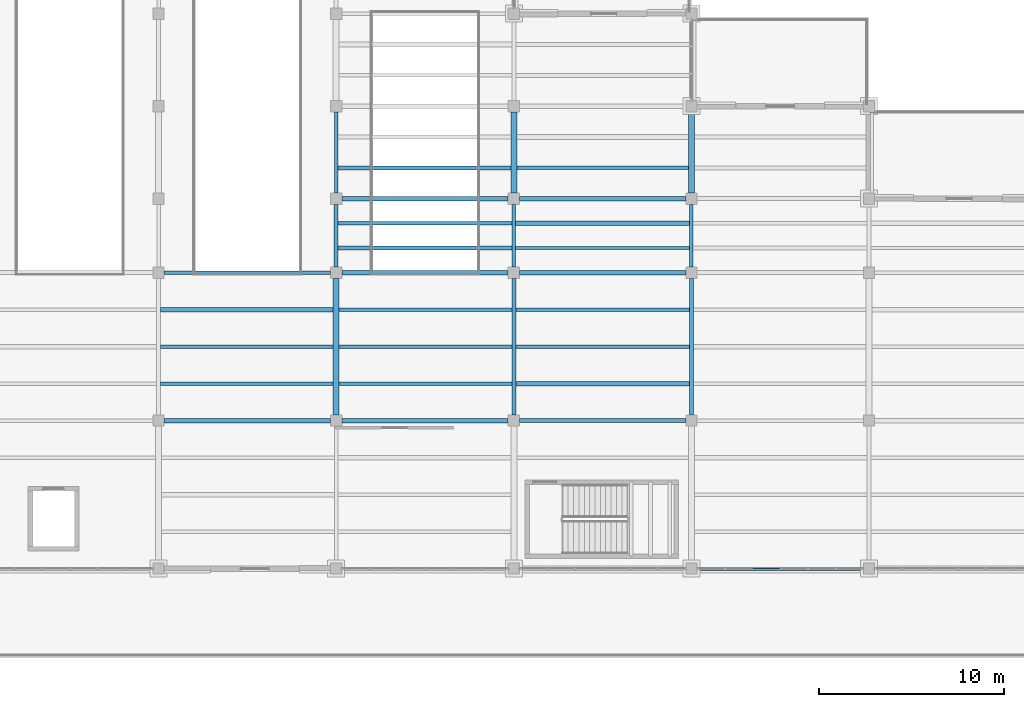
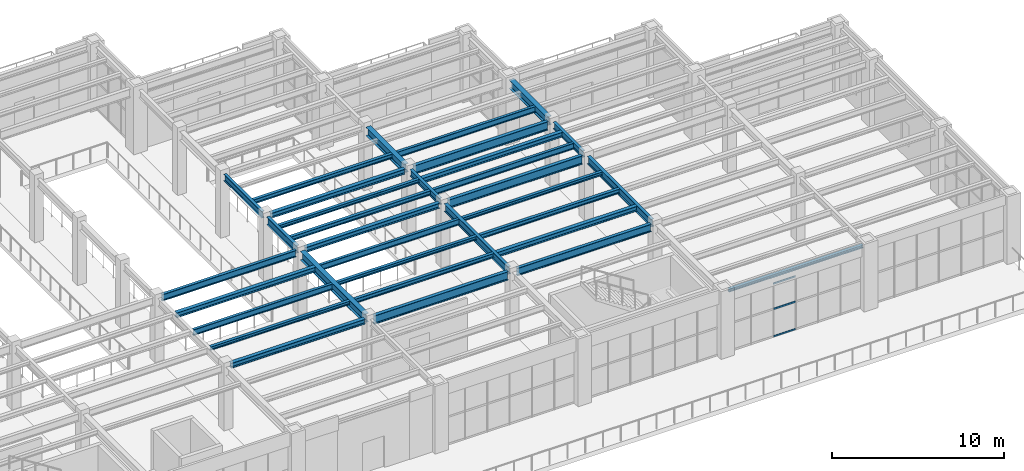
# One storey, part 34 of 83: 33 beams, 3 members, 1 element without a shape of its own.
"""IFC4 building model written with IfcOpenShell, lengths in metres."""

from ifc_helpers import new_model, si_unit, direction, frame, origin, origin_2d, place, context, subcontext, project, spatial, hollow_rectangle, i_section, extrude, material, material_profile, profile_set, type_object, element, aggregate, save


model = new_model("IFC4")

# Units and contexts
model_context = context("Model", 3, precision=1e-05, world=origin(), true_north=direction((0.0, 1.0)))
body_context = subcontext(model_context, "Body", "Model", "MODEL_VIEW")
ifc_project = project(units=[si_unit("LENGTHUNIT", "METRE"), si_unit("AREAUNIT", "SQUARE_METRE"), si_unit("VOLUMEUNIT", "CUBIC_METRE"), si_unit("PLANEANGLEUNIT", "RADIAN"), si_unit("MASSUNIT", "GRAM", prefix="KILO")], contexts=[model_context])

# Site, building, storey
site_placement = place(None, origin())
site = spatial("IfcSite", under=ifc_project, at=site_placement, CompositionType="ELEMENT")
building_placement = place(site_placement, origin())
building = spatial("IfcBuilding", under=site, at=building_placement, Name="Mavantir Sound Aquarium", CompositionType="ELEMENT")
storey_placement = place(building_placement, frame((0.0, 0.0, 10.5)))
storey = spatial("IfcBuildingStorey", under=building, at=storey_placement, Name="L02", CompositionType="ELEMENT", Elevation=10.5)

# Beams
ifc_material_1 = material(Name="Structural Steel ASTM A992 Gr50", Category="steel")
ifc_material_profile_1 = material_profile(ifc_material_1, i_section(OverallWidth=0.202880859375, OverallDepth=0.202880859375, WebThickness=0.007080078125, FlangeThickness=0.010986328125, FilletRadius=0.010009765625, at=origin_2d()), Name="W200X46")
ifc_profile_set_1 = profile_set([ifc_material_profile_1], Name="Structural Steel ASTM A992 Gr50")
beam_type_1 = type_object("IfcBeamType", Name="BM-W200X46-E", PredefinedType="LINTEL", material=ifc_profile_set_1)
beam_1_placement = place(storey_placement, frame((156.300048828125, 40.800048828125, 4.384521484375), z_axis=(1.0, 0.0, 0.0), x_axis=(0.0, 1.0, 0.0)))
element("IfcBeam", 1, at=beam_1_placement, inside=storey, type_object=beam_type_1, Name="L02 primary beam SL-20 1520", PredefinedType="LINTEL", context=body_context, shape_type="SweptSolid", body=[
    extrude(i_section(OverallWidth=0.202880859375, OverallDepth=0.202880859375, WebThickness=0.007080078125, FlangeThickness=0.010986328125, FilletRadius=0.010009765625, at=origin_2d()), origin(), (0.0, 0.0, 1.0), 9.0),
])
ifc_material_profile_2 = material_profile(ifc_material_1, i_section(OverallWidth=0.202880859375, OverallDepth=0.251953125, WebThickness=0.008056640625, FlangeThickness=0.013427734375, FilletRadius=0.011962890625, at=origin_2d()), Name="W250X58")
ifc_profile_set_2 = profile_set([ifc_material_profile_2], Name="Structural Steel ASTM A992 Gr50")
beam_type_2 = type_object("IfcBeamType", Name="BM-W250X58-I", PredefinedType="JOIST", material=ifc_profile_set_2)
for number, where, z_axis, x_axis, name in (
    (2, (127.305908203125, 50.800048828125, 4.360107421875), (1.0, 0.0, 0.0), (0.0, 1.0, 0.0), "L02 secondary floor joist SJ-25 912"),
    (3, (136.9619140625, 52.800048828125, 4.360107421875), (1.0, 0.0, 0.0), (0.0, 1.0, 0.0), "L02 secondary floor joist SJ-25 916"),
):
    element("IfcBeam", number, at=place(storey_placement, frame(where, z_axis=z_axis, x_axis=x_axis)), inside=storey, type_object=beam_type_2, Name=name, PredefinedType="JOIST", context=body_context, shape_type="SweptSolid", body=[
        extrude(i_section(OverallWidth=0.202880859375, OverallDepth=0.251953125, WebThickness=0.008056640625, FlangeThickness=0.013427734375, FilletRadius=0.011962890625, at=origin_2d()), origin(), (0.0, 0.0, 1.0), 9.33203125),
    ])
beam_2_placement = place(storey_placement, frame((146.506103515625, 54.800048828125, 4.360107421875), z_axis=(1.0, 0.0, 0.0), x_axis=(0.0, 1.0, 0.0)))
element("IfcBeam", 4, at=beam_2_placement, inside=storey, type_object=beam_type_2, Name="L02 secondary floor joist SJ-25 920", PredefinedType="JOIST", context=body_context, shape_type="SweptSolid", body=[
    extrude(i_section(OverallWidth=0.202880859375, OverallDepth=0.251953125, WebThickness=0.008056640625, FlangeThickness=0.013427734375, FilletRadius=0.011962890625, at=origin_2d()), origin(), (0.0, 0.0, 1.0), 9.387939453125),
])
beam_3_placement = place(storey_placement, frame((136.906005859375, 59.466796875, 4.360107421875), z_axis=(1.0, 0.0, 0.0), x_axis=(0.0, 1.0, 0.0)))
element("IfcBeam", 5, at=beam_3_placement, inside=storey, type_object=beam_type_2, Name="L02 secondary floor joist SJ-25 928", PredefinedType="JOIST", context=body_context, shape_type="SweptSolid", body=[
    extrude(i_section(OverallWidth=0.202880859375, OverallDepth=0.251953125, WebThickness=0.008056640625, FlangeThickness=0.013427734375, FilletRadius=0.011962890625, at=origin_2d()), origin(), (0.0, 0.0, 1.0), 9.39697265625),
])
ifc_material_profile_3 = material_profile(ifc_material_1, i_section(OverallWidth=0.205078125, OverallDepth=0.31005859375, WebThickness=0.009521484375, FlangeThickness=0.016357421875, FilletRadius=0.012939453125, at=origin_2d()), Name="W310X74")
ifc_profile_set_3 = profile_set([ifc_material_profile_3], Name="Structural Steel ASTM A992 Gr50")
beam_type_3 = type_object("IfcBeamType", Name="BM-W310X74-I", PredefinedType="JOIST", material=ifc_profile_set_3)
beam_4_placement = place(storey_placement, frame((136.9619140625, 50.800048828125, 4.3310546875), z_axis=(1.0, 0.0, 0.0), x_axis=(0.0, 1.0, 0.0)))
element("IfcBeam", 6, at=beam_4_placement, inside=storey, type_object=beam_type_3, Name="L02 secondary floor joist SJ-31 915", PredefinedType="JOIST", context=body_context, shape_type="SweptSolid", body=[
    extrude(i_section(OverallWidth=0.205078125, OverallDepth=0.31005859375, WebThickness=0.009521484375, FlangeThickness=0.016357421875, FilletRadius=0.012939453125, at=origin_2d()), origin(), (0.0, 0.0, 1.0), 9.33203125),
])
beam_5_placement = place(storey_placement, frame((146.506103515625, 52.800048828125, 4.3310546875), z_axis=(1.0, 0.0, 0.0), x_axis=(0.0, 1.0, 0.0)))
element("IfcBeam", 7, at=beam_5_placement, inside=storey, type_object=beam_type_3, Name="L02 secondary floor joist SJ-31 919", PredefinedType="JOIST", context=body_context, shape_type="SweptSolid", body=[
    extrude(i_section(OverallWidth=0.205078125, OverallDepth=0.31005859375, WebThickness=0.009521484375, FlangeThickness=0.016357421875, FilletRadius=0.012939453125, at=origin_2d()), origin(), (0.0, 0.0, 1.0), 9.387939453125),
])
beam_6_placement = place(storey_placement, frame((136.906005859375, 58.13330078125, 4.3310546875), z_axis=(1.0, 0.0, 0.0), x_axis=(0.0, 1.0, 0.0)))
element("IfcBeam", 8, at=beam_6_placement, inside=storey, type_object=beam_type_3, Name="L02 secondary floor joist SJ-31 927", PredefinedType="JOIST", context=body_context, shape_type="SweptSolid", body=[
    extrude(i_section(OverallWidth=0.205078125, OverallDepth=0.31005859375, WebThickness=0.009521484375, FlangeThickness=0.016357421875, FilletRadius=0.012939453125, at=origin_2d()), origin(), (0.0, 0.0, 1.0), 9.39697265625),
])
beam_7_placement = place(storey_placement, frame((136.89697265625, 62.466796875, 4.3310546875), z_axis=(1.0, 0.0, 0.0), x_axis=(0.0, 1.0, 0.0)))
element("IfcBeam", 9, at=beam_7_placement, inside=storey, type_object=beam_type_3, Name="L02 secondary floor joist SJ-31 935", PredefinedType="JOIST", context=body_context, shape_type="SweptSolid", body=[
    extrude(i_section(OverallWidth=0.205078125, OverallDepth=0.31005859375, WebThickness=0.009521484375, FlangeThickness=0.016357421875, FilletRadius=0.012939453125, at=origin_2d()), origin(), (0.0, 0.0, 1.0), 9.341064453125),
])
ifc_material_profile_4 = material_profile(ifc_material_1, i_section(OverallWidth=0.257080078125, OverallDepth=0.363037109375, WebThickness=0.012939453125, FlangeThickness=0.021728515625, FilletRadius=0.014892578125, at=origin_2d()), Name="W360X122")
ifc_profile_set_4 = profile_set([ifc_material_profile_4], Name="Structural Steel ASTM A992 Gr50")
beam_type_4 = type_object("IfcBeamType", Name="BM-W360X122-I", PredefinedType="BEAM", material=ifc_profile_set_4)
for number, where, z_axis, x_axis, name in (
    (10, (127.5, 48.800048828125, 4.304443359375), (1.0, 0.0, 0.0), (0.0, 1.0, 0.0), "L02 primary beam SB-36A 1524"),
    (11, (137.10009765625, 56.800048828125, 4.304443359375), (1.0, 0.0, 0.0), (0.0, 1.0, 0.0), "L02 primary beam SB-36A 1532"),
    (12, (137.10009765625, 60.800048828125, 4.304443359375), (1.0, 0.0, 0.0), (0.0, 1.0, 0.0), "L02 primary beam SB-36A 1536"),
):
    element("IfcBeam", number, at=place(storey_placement, frame(where, z_axis=z_axis, x_axis=x_axis)), inside=storey, type_object=beam_type_4, Name=name, PredefinedType="BEAM", context=body_context, shape_type="SweptSolid", body=[
        extrude(i_section(OverallWidth=0.257080078125, OverallDepth=0.363037109375, WebThickness=0.012939453125, FlangeThickness=0.021728515625, FilletRadius=0.014892578125, at=origin_2d()), origin(), (0.0, 0.0, 1.0), 9.0),
    ])
ifc_material_profile_5 = material_profile(ifc_material_1, i_section(OverallWidth=0.25390625, OverallDepth=0.35302734375, WebThickness=0.009521484375, FlangeThickness=0.016357421875, FilletRadius=0.014892578125, at=origin_2d()), Name="W360X91")
ifc_profile_set_5 = profile_set([ifc_material_profile_5], Name="Structural Steel ASTM A992 Gr50")
beam_type_5 = type_object("IfcBeamType", Name="BM-W360X91-I", PredefinedType="JOIST", material=ifc_profile_set_5)
beam_8_placement = place(storey_placement, frame((127.305908203125, 54.800048828125, 4.3095703125), z_axis=(1.0, 0.0, 0.0), x_axis=(0.0, 1.0, 0.0)))
element("IfcBeam", 13, at=beam_8_placement, inside=storey, type_object=beam_type_5, Name="L02 secondary floor joist SJ-36 914", PredefinedType="JOIST", context=body_context, shape_type="SweptSolid", body=[
    extrude(i_section(OverallWidth=0.25390625, OverallDepth=0.35302734375, WebThickness=0.009521484375, FlangeThickness=0.016357421875, FilletRadius=0.014892578125, at=origin_2d()), origin(), (0.0, 0.0, 1.0), 9.33203125),
])
beam_9_placement = place(storey_placement, frame((146.506103515625, 50.800048828125, 4.3095703125), z_axis=(1.0, 0.0, 0.0), x_axis=(0.0, 1.0, 0.0)))
element("IfcBeam", 14, at=beam_9_placement, inside=storey, type_object=beam_type_5, Name="L02 secondary floor joist SJ-36 918", PredefinedType="JOIST", context=body_context, shape_type="SweptSolid", body=[
    extrude(i_section(OverallWidth=0.25390625, OverallDepth=0.35302734375, WebThickness=0.009521484375, FlangeThickness=0.016357421875, FilletRadius=0.014892578125, at=origin_2d()), origin(), (0.0, 0.0, 1.0), 9.387939453125),
])
beam_10_placement = place(storey_placement, frame((146.4970703125, 59.466796875, 4.3095703125), z_axis=(1.0, 0.0, 0.0), x_axis=(0.0, 1.0, 0.0)))
element("IfcBeam", 15, at=beam_10_placement, inside=storey, type_object=beam_type_5, Name="L02 secondary floor joist SJ-36 930", PredefinedType="JOIST", context=body_context, shape_type="SweptSolid", body=[
    extrude(i_section(OverallWidth=0.25390625, OverallDepth=0.35302734375, WebThickness=0.009521484375, FlangeThickness=0.016357421875, FilletRadius=0.014892578125, at=origin_2d()), origin(), (0.0, 0.0, 1.0), 9.406005859375),
])
ifc_material_profile_6 = material_profile(ifc_material_1, i_section(OverallWidth=0.180908203125, OverallDepth=0.4169921875, WebThickness=0.010986328125, FlangeThickness=0.018310546875, FilletRadius=0.014892578125, at=origin_2d()), Name="W410X85")
ifc_profile_set_6 = profile_set([ifc_material_profile_6], Name="Structural Steel ASTM A992 Gr50")
beam_type_6 = type_object("IfcBeamType", Name="BM-W410X85-I", PredefinedType="JOIST", material=ifc_profile_set_6)
for number, where, z_axis, x_axis, name in (
    (16, (127.305908203125, 52.800048828125, 4.277587890625), (1.0, 0.0, 0.0), (0.0, 1.0, 0.0), "L02 secondary floor joist SJ-41 913"),
    (17, (136.9619140625, 54.800048828125, 4.277587890625), (1.0, 0.0, 0.0), (0.0, 1.0, 0.0), "L02 secondary floor joist SJ-41 917"),
):
    element("IfcBeam", number, at=place(storey_placement, frame(where, z_axis=z_axis, x_axis=x_axis)), inside=storey, type_object=beam_type_6, Name=name, PredefinedType="JOIST", context=body_context, shape_type="SweptSolid", body=[
        extrude(i_section(OverallWidth=0.180908203125, OverallDepth=0.4169921875, WebThickness=0.010986328125, FlangeThickness=0.018310546875, FilletRadius=0.014892578125, at=origin_2d()), origin(), (0.0, 0.0, 1.0), 9.33203125),
    ])
beam_11_placement = place(storey_placement, frame((146.4970703125, 58.13330078125, 4.277587890625), z_axis=(1.0, 0.0, 0.0), x_axis=(0.0, 1.0, 0.0)))
element("IfcBeam", 18, at=beam_11_placement, inside=storey, type_object=beam_type_6, Name="L02 secondary floor joist SJ-41 929", PredefinedType="JOIST", context=body_context, shape_type="SweptSolid", body=[
    extrude(i_section(OverallWidth=0.180908203125, OverallDepth=0.4169921875, WebThickness=0.010986328125, FlangeThickness=0.018310546875, FilletRadius=0.014892578125, at=origin_2d()), origin(), (0.0, 0.0, 1.0), 9.406005859375),
])
beam_12_placement = place(storey_placement, frame((146.56201171875, 62.466796875, 4.277587890625), z_axis=(1.0, 0.0, 0.0), x_axis=(0.0, 1.0, 0.0)))
element("IfcBeam", 19, at=beam_12_placement, inside=storey, type_object=beam_type_6, Name="L02 secondary floor joist SJ-41 937", PredefinedType="JOIST", context=body_context, shape_type="SweptSolid", body=[
    extrude(i_section(OverallWidth=0.180908203125, OverallDepth=0.4169921875, WebThickness=0.010986328125, FlangeThickness=0.018310546875, FilletRadius=0.014892578125, at=origin_2d()), origin(), (0.0, 0.0, 1.0), 9.27587890625),
])
ifc_material_profile_7 = material_profile(ifc_material_1, i_section(OverallWidth=0.194091796875, OverallDepth=0.468994140625, WebThickness=0.0126953125, FlangeThickness=0.0205078125, FilletRadius=0.01611328125, at=origin_2d()), Name="W460X106")
ifc_profile_set_7 = profile_set([ifc_material_profile_7], Name="Structural Steel ASTM A992 Gr50")
beam_type_7 = type_object("IfcBeamType", Name="BM-W460X106-I", PredefinedType="BEAM", material=ifc_profile_set_7)
beam_13_placement = place(storey_placement, frame((127.5, 56.800048828125, 4.25146484375), z_axis=(1.0, 0.0, 0.0), x_axis=(0.0, 1.0, 0.0)))
element("IfcBeam", 20, at=beam_13_placement, inside=storey, type_object=beam_type_7, Name="L02 primary beam SB-46 1531", PredefinedType="BEAM", context=body_context, shape_type="SweptSolid", body=[
    extrude(i_section(OverallWidth=0.194091796875, OverallDepth=0.468994140625, WebThickness=0.0126953125, FlangeThickness=0.0205078125, FilletRadius=0.01611328125, at=origin_2d()), origin(), (0.0, 0.0, 1.0), 9.0),
])
beam_14_placement = place(storey_placement, frame((136.800048828125, 61.10009765625, 4.25146484375), z_axis=(0.0, 1.0, 0.0), x_axis=(-1.0, 0.0, 0.0)))
element("IfcBeam", 21, at=beam_14_placement, inside=storey, type_object=beam_type_7, Name="L02 primary girder SB-46 1581", PredefinedType="BEAM", context=body_context, shape_type="SweptSolid", body=[
    extrude(i_section(OverallWidth=0.194091796875, OverallDepth=0.468994140625, WebThickness=0.0126953125, FlangeThickness=0.0205078125, FilletRadius=0.01611328125, at=origin_2d()), origin(), (0.0, 0.0, 1.0), 4.39990234375),
])
for number, where, z_axis, x_axis, name in (
    (22, (146.39990234375, 57.10009765625, 4.25146484375), (0.0, 1.0, 0.0), (-1.0, 0.0, 0.0), "L02 primary girder SB-46 1587"),
    (23, (156.0, 57.10009765625, 4.25146484375), (0.0, 1.0, 0.0), (-1.0, 0.0, 0.0), "L02 primary girder SB-46 1593"),
):
    element("IfcBeam", number, at=place(storey_placement, frame(where, z_axis=z_axis, x_axis=x_axis)), inside=storey, type_object=beam_type_7, Name=name, PredefinedType="BEAM", context=body_context, shape_type="SweptSolid", body=[
        extrude(i_section(OverallWidth=0.194091796875, OverallDepth=0.468994140625, WebThickness=0.0126953125, FlangeThickness=0.0205078125, FilletRadius=0.01611328125, at=origin_2d()), origin(), (0.0, 0.0, 1.0), 3.39990234375),
    ])
ifc_material_profile_8 = material_profile(ifc_material_1, i_section(OverallWidth=0.2119140625, OverallDepth=0.5439453125, WebThickness=0.01318359375, FlangeThickness=0.021240234375, FilletRadius=0.01806640625, at=origin_2d()), Name="W530X123")
ifc_profile_set_8 = profile_set([ifc_material_profile_8], Name="Structural Steel ASTM A992 Gr50")
beam_type_8 = type_object("IfcBeamType", Name="BM-W530X123-I", PredefinedType="BEAM", material=ifc_profile_set_8)
beam_15_placement = place(storey_placement, frame((146.699951171875, 48.800048828125, 4.214111328125), z_axis=(1.0, 0.0, 0.0), x_axis=(0.0, 1.0, 0.0)))
element("IfcBeam", 24, at=beam_15_placement, inside=storey, type_object=beam_type_8, Name="L02 primary beam SB-53 1526", PredefinedType="BEAM", context=body_context, shape_type="SweptSolid", body=[
    extrude(i_section(OverallWidth=0.2119140625, OverallDepth=0.5439453125, WebThickness=0.01318359375, FlangeThickness=0.021240234375, FilletRadius=0.01806640625, at=origin_2d()), origin(), (0.0, 0.0, 1.0), 9.0),
])
beam_16_placement = place(storey_placement, frame((136.800048828125, 57.10009765625, 4.214111328125), z_axis=(0.0, 1.0, 0.0), x_axis=(-1.0, 0.0, 0.0)))
element("IfcBeam", 25, at=beam_16_placement, inside=storey, type_object=beam_type_8, Name="L02 primary girder SB-53 1580", PredefinedType="BEAM", context=body_context, shape_type="SweptSolid", body=[
    extrude(i_section(OverallWidth=0.2119140625, OverallDepth=0.5439453125, WebThickness=0.01318359375, FlangeThickness=0.021240234375, FilletRadius=0.01806640625, at=origin_2d()), origin(), (0.0, 0.0, 1.0), 3.39990234375),
])
for number, where, z_axis, x_axis, name in (
    (26, (146.39990234375, 49.10009765625, 4.214111328125), (0.0, 1.0, 0.0), (-1.0, 0.0, 0.0), "L02 primary girder SB-53 1586"),
    (27, (156.0, 49.10009765625, 4.214111328125), (0.0, 1.0, 0.0), (-1.0, 0.0, 0.0), "L02 primary girder SB-53 1592"),
):
    element("IfcBeam", number, at=place(storey_placement, frame(where, z_axis=z_axis, x_axis=x_axis)), inside=storey, type_object=beam_type_8, Name=name, PredefinedType="BEAM", context=body_context, shape_type="SweptSolid", body=[
        extrude(i_section(OverallWidth=0.2119140625, OverallDepth=0.5439453125, WebThickness=0.01318359375, FlangeThickness=0.021240234375, FilletRadius=0.01806640625, at=origin_2d()), origin(), (0.0, 0.0, 1.0), 7.39990234375),
    ])
ifc_material_profile_9 = material_profile(ifc_material_1, i_section(OverallWidth=0.22900390625, OverallDepth=0.612060546875, WebThickness=0.011962890625, FlangeThickness=0.01953125, FilletRadius=0.01904296875, at=origin_2d()), Name="W610X125")
ifc_profile_set_9 = profile_set([ifc_material_profile_9], Name="Structural Steel ASTM A992 Gr50")
beam_type_9 = type_object("IfcBeamType", Name="BM-W610X125-I", PredefinedType="BEAM", material=ifc_profile_set_9)
for number, where, z_axis, x_axis, name in (
    (28, (137.10009765625, 48.800048828125, 4.179931640625), (1.0, 0.0, 0.0), (0.0, 1.0, 0.0), "L02 primary beam SB-61B 1525"),
    (29, (146.699951171875, 56.800048828125, 4.179931640625), (1.0, 0.0, 0.0), (0.0, 1.0, 0.0), "L02 primary beam SB-61B 1533"),
    (30, (146.699951171875, 60.800048828125, 4.179931640625), (1.0, 0.0, 0.0), (0.0, 1.0, 0.0), "L02 primary beam SB-61B 1537"),
):
    element("IfcBeam", number, at=place(storey_placement, frame(where, z_axis=z_axis, x_axis=x_axis)), inside=storey, type_object=beam_type_9, Name=name, PredefinedType="BEAM", context=body_context, shape_type="SweptSolid", body=[
        extrude(i_section(OverallWidth=0.22900390625, OverallDepth=0.612060546875, WebThickness=0.011962890625, FlangeThickness=0.01953125, FilletRadius=0.01904296875, at=origin_2d()), origin(), (0.0, 0.0, 1.0), 9.0),
    ])
ifc_material_profile_10 = material_profile(ifc_material_1, i_section(OverallWidth=0.323974609375, OverallDepth=0.611083984375, WebThickness=0.0126953125, FlangeThickness=0.01904296875, FilletRadius=0.01904296875, at=origin_2d()), Name="W610X155")
ifc_profile_set_10 = profile_set([ifc_material_profile_10], Name="Structural Steel ASTM A992 Gr50")
beam_type_10 = type_object("IfcBeamType", Name="BM-W610X155-I", PredefinedType="BEAM", material=ifc_profile_set_10)
beam_17_placement = place(storey_placement, frame((136.800048828125, 49.10009765625, 4.180419921875), z_axis=(0.0, 1.0, 0.0), x_axis=(-1.0, 0.0, 0.0)))
element("IfcBeam", 31, at=beam_17_placement, inside=storey, type_object=beam_type_10, Name="L02 primary girder SB-61A 1579", PredefinedType="BEAM", context=body_context, shape_type="SweptSolid", body=[
    extrude(i_section(OverallWidth=0.323974609375, OverallDepth=0.611083984375, WebThickness=0.0126953125, FlangeThickness=0.01904296875, FilletRadius=0.01904296875, at=origin_2d()), origin(), (0.0, 0.0, 1.0), 7.39990234375),
])
for number, where, z_axis, x_axis, name in (
    (32, (146.39990234375, 61.10009765625, 4.180419921875), (0.0, 1.0, 0.0), (-1.0, 0.0, 0.0), "L02 primary girder SB-61A 1588"),
    (33, (156.0, 61.10009765625, 4.180419921875), (0.0, 1.0, 0.0), (-1.0, 0.0, 0.0), "L02 primary girder SB-61A 1594"),
):
    element("IfcBeam", number, at=place(storey_placement, frame(where, z_axis=z_axis, x_axis=x_axis)), inside=storey, type_object=beam_type_10, Name=name, PredefinedType="BEAM", context=body_context, shape_type="SweptSolid", body=[
        extrude(i_section(OverallWidth=0.323974609375, OverallDepth=0.611083984375, WebThickness=0.0126953125, FlangeThickness=0.01904296875, FilletRadius=0.01904296875, at=origin_2d()), origin(), (0.0, 0.0, 1.0), 4.39990234375),
    ])

# Curtain wall, members
ifc_material_2 = material(Name="Anodised Marine Aluminium and Low-E Glass", Category="aluminium")
curtain_wall_type = type_object("IfcCurtainWallType", Name="CW-T17", PredefinedType="USERDEFINED", material=ifc_material_2)
curtain_wall_placement = place(storey_placement, origin())
curtain_wall = element("IfcCurtainWall", 34, at=curtain_wall_placement, inside=storey, type_object=curtain_wall_type, Name="L02 unitised curtain wall CW-17 137", ObjectType="UNITISED GLAZING", PredefinedType="USERDEFINED")
ifc_material_3 = material(Name="Anodised Marine Aluminium 6063-T6", Category="aluminium")
ifc_material_profile_11 = material_profile(ifc_material_3, hollow_rectangle(XDim=0.06005859375, YDim=0.110107421875, WallThickness=0.00390625, at=origin_2d()), Name="ALU-TRANSOM-110X60")
ifc_profile_set_11 = profile_set([ifc_material_profile_11], Name="Anodised Marine Aluminium 6063-T6")
member_type = type_object("IfcMemberType", Name="CW-TRN-110", PredefinedType="USERDEFINED", material=ifc_profile_set_11)
member_1_placement = place(storey_placement, frame((159.302734375, 40.800048828125, 0.054931640625), z_axis=(1.0, 0.0, 0.0), x_axis=(0.0, 1.0, 0.0)))
member_1 = element("IfcMember", 35, at=member_1_placement, type_object=member_type, Name="CW-L02-137 transom 3.1", ObjectType="TRANSOM", PredefinedType="USERDEFINED", context=body_context, shape_type="SweptSolid", body=[
    extrude(hollow_rectangle(XDim=0.06005859375, YDim=0.110107421875, WallThickness=0.00390625, at=origin_2d()), origin(), (0.0, 0.0, 1.0), 1.497314453125),
])
member_2_placement = place(storey_placement, frame((159.302734375, 40.800048828125, 1.99951171875), z_axis=(1.0, 0.0, 0.0), x_axis=(0.0, 1.0, 0.0)))
member_2 = element("IfcMember", 36, at=member_2_placement, type_object=member_type, Name="CW-L02-137 transom 3.2", ObjectType="TRANSOM", PredefinedType="USERDEFINED", context=body_context, shape_type="SweptSolid", body=[
    extrude(hollow_rectangle(XDim=0.06005859375, YDim=0.110107421875, WallThickness=0.00390625, at=origin_2d()), origin(), (0.0, 0.0, 1.0), 1.497314453125),
])
member_3_placement = place(storey_placement, frame((159.302734375, 40.800048828125, 3.7900390625), z_axis=(1.0, 0.0, 0.0), x_axis=(0.0, 1.0, 0.0)))
member_3 = element("IfcMember", 37, at=member_3_placement, type_object=member_type, Name="CW-L02-137 transom 3.3", ObjectType="TRANSOM", PredefinedType="USERDEFINED", context=body_context, shape_type="SweptSolid", body=[
    extrude(hollow_rectangle(XDim=0.06005859375, YDim=0.110107421875, WallThickness=0.00390625, at=origin_2d()), origin(), (0.0, 0.0, 1.0), 1.497314453125),
])
aggregate(curtain_wall, [member_1, member_2, member_3])

save(model, "model.ifc")
